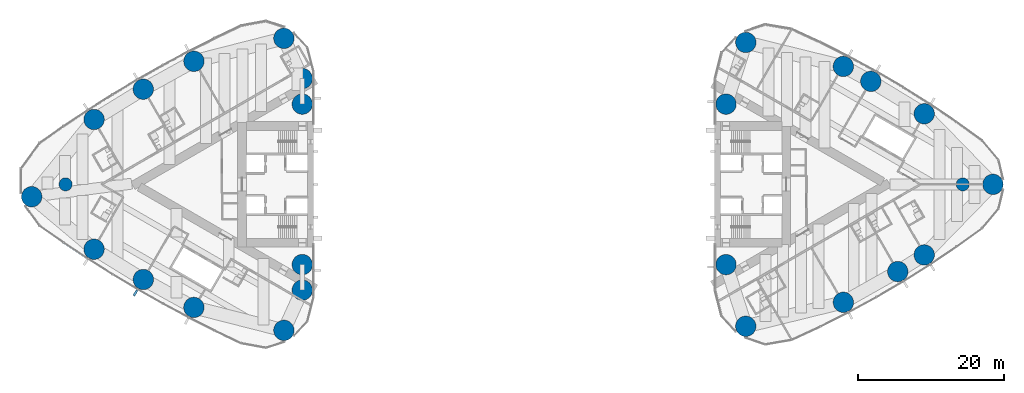
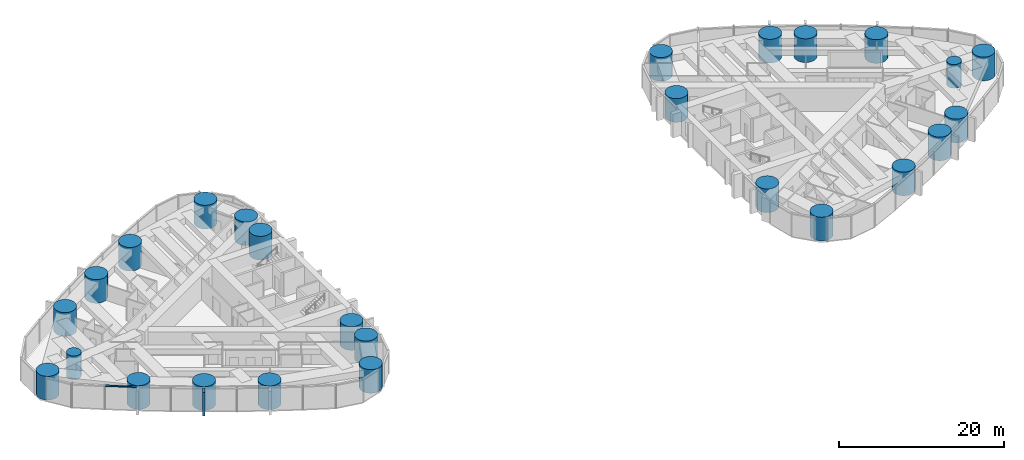
# One storey, part 1 of 19: 26 columns, 2 members, 1 element without a shape of its own.
"""IFC4 building model written with IfcOpenShell, lengths in metres."""

from ifc_helpers import new_model, si_unit, direction, frame, origin, origin_2d, place, context, subcontext, project, spatial, rectangle, circle, extrude, material, material_profile, profile_set, type_object, element, aggregate, save


model = new_model("IFC4")

# Units and contexts
model_context = context("Model", 3, precision=1e-05, world=origin(), true_north=direction((0.0, 1.0)))
body_context = subcontext(model_context, "Body", "Model", "MODEL_VIEW")
ifc_project = project(units=[si_unit("LENGTHUNIT", "METRE"), si_unit("AREAUNIT", "SQUARE_METRE"), si_unit("VOLUMEUNIT", "CUBIC_METRE"), si_unit("PLANEANGLEUNIT", "RADIAN"), si_unit("MASSUNIT", "GRAM", prefix="KILO")], contexts=[model_context])

# Site, building, storey
site_placement = place(None, origin())
site = spatial("IfcSite", under=ifc_project, at=site_placement, CompositionType="ELEMENT")
building_placement = place(site_placement, origin())
building = spatial("IfcBuilding", under=site, at=building_placement, Name="Lancet Gate Hotel", CompositionType="ELEMENT")
storey_placement = place(building_placement, frame((0.0, 0.0, 173.800048828125)))
storey = spatial("IfcBuildingStorey", under=building, at=storey_placement, Name="L46", CompositionType="ELEMENT", Elevation=173.800048828125)

# Columns
ifc_material_1 = material(Name="Concrete C60/75", Category="concrete")
ifc_material_profile_1 = material_profile(ifc_material_1, circle(Radius=0.89990234375, at=origin_2d()), Name="RC D1800")
ifc_profile_set_1 = profile_set([ifc_material_profile_1], Name="Concrete C60/75")
column_type_1 = type_object("IfcColumnType", Name="Apex column RC D1800", PredefinedType="COLUMN", material=ifc_profile_set_1)
for number, where, z_axis, x_axis, name in (
    (1, (-61.5, 0.0, 0.0), (0.0, 0.0, 1.0), (1.0, 0.0, 0.0), "T1 column AX L46"),
    (2, (61.5, 0.0, 0.0), (0.0, 0.0, 1.0), (1.0, 0.0, 0.0), "T2 column AX L46"),
):
    element("IfcColumn", number, at=place(storey_placement, frame(where, z_axis=z_axis, x_axis=x_axis)), inside=storey, type_object=column_type_1, Name=name, PredefinedType="COLUMN", context=body_context, shape_type="SweptSolid", body=[
        extrude(circle(Radius=0.89990234375, at=origin_2d()), origin(), (0.0, 0.0, 1.0), 3.5),
    ])
ifc_material_2 = material(Name="Concrete C60/75", Category="concrete")
ifc_material_profile_2 = material_profile(ifc_material_2, circle(Radius=1.39990234375, at=origin_2d()), Name="RC D2800")
ifc_profile_set_2 = profile_set([ifc_material_profile_2], Name="Concrete C60/75")
column_type_2 = type_object("IfcColumnType", Name="Perimeter column RC D2800", PredefinedType="COLUMN", material=ifc_profile_set_2)
for number, where, z_axis, x_axis, name in (
    (3, (-66.142578125, -1.6953125, 0.0), (0.0, 0.0, 1.0), (1.0, 0.0, 0.0), "T1 column CA L46"),
    (4, (-31.5654296875, -20.015869140625, 0.0), (0.0, 0.0, 1.0), (1.0, 0.0, 0.0), "T1 column CN L46"),
    (5, (-31.5654296875, 20.015869140625, 0.0), (0.0, 0.0, 1.0), (1.0, 0.0, 0.0), "T1 column CS L46"),
    (6, (-29.050048828125, -11.0, 0.0), (0.0, 0.0, 1.0), (1.0, 0.0, 0.0), "T1 column IN L46"),
    (7, (-29.050048828125, 11.0, 0.0), (0.0, 0.0, 1.0), (1.0, 0.0, 0.0), "T1 column IS L46"),
    (8, (-29.050048828125, 14.5, 0.0), (0.0, 0.0, 1.0), (1.0, 0.0, 0.0), "T1 column IT L46"),
    (9, (-29.050048828125, -14.5, 0.0), (0.0, 0.0, 1.0), (1.0, 0.0, 0.0), "T1 column JT L46"),
    (10, (-57.589599609375, -8.89306640625, 0.0), (0.0, 0.0, 1.0), (1.0, 0.0, 0.0), "T1 column ON1 L46"),
    (11, (-50.8388671875, -13.043212890625, 0.0), (0.0, 0.0, 1.0), (1.0, 0.0, 0.0), "T1 column ON2 L46"),
    (12, (-43.900390625, -16.871337890625, 0.0), (0.0, 0.0, 1.0), (1.0, 0.0, 0.0), "T1 column ON3 L46"),
    (13, (-43.900390625, 16.871337890625, 0.0), (0.0, 0.0, 1.0), (1.0, 0.0, 0.0), "T1 column OS1 L46"),
    (14, (-50.8388671875, 13.043212890625, 0.0), (0.0, 0.0, 1.0), (1.0, 0.0, 0.0), "T1 column OS2 L46"),
    (15, (-57.589599609375, 8.89306640625, 0.0), (0.0, 0.0, 1.0), (1.0, 0.0, 0.0), "T1 column OS3 L46"),
    (16, (65.6396484375, 0.0, 0.0), (0.0, 0.0, 1.0), (1.0, 0.0, 0.0), "T2 column CA L46"),
    (17, (31.759765625, 19.455810546875, 0.0), (0.0, 0.0, 1.0), (1.0, 0.0, 0.0), "T2 column CN L46"),
    (18, (31.759765625, -19.455810546875, 0.0), (0.0, 0.0, 1.0), (1.0, 0.0, 0.0), "T2 column CS L46"),
    (19, (29.050048828125, 11.0, 0.0), (0.0, 0.0, 1.0), (1.0, 0.0, 0.0), "T2 column IN L46"),
    (20, (29.050048828125, -11.0, 0.0), (0.0, 0.0, 1.0), (1.0, 0.0, 0.0), "T2 column IS L46"),
    (21, (56.220947265625, 9.67236328125, 0.0), (0.0, 0.0, 1.0), (1.0, 0.0, 0.0), "T2 column ON1 L46"),
    (22, (48.8974609375, 14.12060546875, 0.0), (0.0, 0.0, 1.0), (1.0, 0.0, 0.0), "T2 column ON2 L46"),
    (23, (45.133544921875, 16.16845703125, 0.0), (0.0, 0.0, 1.0), (1.0, 0.0, 0.0), "T2 column ON3 L46"),
    (24, (45.133544921875, -16.16845703125, 0.0), (0.0, 0.0, 1.0), (1.0, 0.0, 0.0), "T2 column OS1 L46"),
    (25, (52.594482421875, -11.95458984375, 0.0), (0.0, 0.0, 1.0), (1.0, 0.0, 0.0), "T2 column OS2 L46"),
    (26, (56.220947265625, -9.67236328125, 0.0), (0.0, 0.0, 1.0), (1.0, 0.0, 0.0), "T2 column OS3 L46"),
):
    element("IfcColumn", number, at=place(storey_placement, frame(where, z_axis=z_axis, x_axis=x_axis)), inside=storey, type_object=column_type_2, Name=name, PredefinedType="COLUMN", context=body_context, shape_type="SweptSolid", body=[
        extrude(circle(Radius=1.39990234375, at=origin_2d()), origin(), (0.0, 0.0, 1.0), 3.5),
    ])

# Curtain wall, members
ifc_material_3 = material(Name="Aluminium curtain wall", Category="aluminium")
curtain_wall_type = type_object("IfcCurtainWallType", Name="Tower unitised curtain wall", PredefinedType="USERDEFINED", material=ifc_material_3)
curtain_wall_placement = place(storey_placement, origin())
curtain_wall = element("IfcCurtainWall", 27, at=curtain_wall_placement, inside=storey, type_object=curtain_wall_type, Name="T1 L46 curtain wall 3", ObjectType="UNITISED CURTAIN WALL", PredefinedType="USERDEFINED")
ifc_material_4 = material(Name="Aluminium transom", Category="aluminium")
ifc_material_profile_3 = material_profile(ifc_material_4, rectangle(XDim=0.25, YDim=0.14990234375, at=origin_2d()), Name="TRANSOM 250x150")
ifc_profile_set_3 = profile_set([ifc_material_profile_3], Name="Aluminium transom")
member_type_1 = type_object("IfcMemberType", Name="Aluminium transom 250x150", PredefinedType="USERDEFINED", material=ifc_profile_set_3)
member_1_placement = place(storey_placement, frame((-61.735595703125, -7.998779296875, 3.425048828125), z_axis=(0.832870509189, -0.553467898729, 0.0), x_axis=(0.553467898729, 0.832870509189, 0.0)))
member_1 = element("IfcMember", 28, at=member_1_placement, type_object=member_type_1, Name="T1 L46 curtain wall 3 transom 3", ObjectType="TRANSOM", PredefinedType="USERDEFINED", context=body_context, shape_type="SweptSolid", body=[
    extrude(rectangle(XDim=0.25, YDim=0.14990234375, at=origin_2d()), origin(), (0.0, 0.0, 1.0), 3.933837890625),
])
ifc_material_5 = material(Name="Precast concrete C50/60", Category="concrete")
ifc_material_profile_4 = material_profile(ifc_material_5, rectangle(XDim=0.300048828125, YDim=0.89990234375, at=origin_2d()), Name="FIN 300x900")
ifc_profile_set_4 = profile_set([ifc_material_profile_4], Name="Precast concrete C50/60")
member_type_2 = type_object("IfcMemberType", Name="Exposed concrete fin 300x900", PredefinedType="USERDEFINED", material=ifc_profile_set_4)
member_2_placement = place(storey_placement, frame((-51.908935546875, -14.879150390625, 0.0), z_axis=(0.0, 0.0, 1.0), x_axis=(0.863968774311, -0.503545387245, 0.0)))
member_2 = element("IfcMember", 29, at=member_2_placement, type_object=member_type_2, Name="T1 L46 curtain wall 3 fin 6", ObjectType="FIN", PredefinedType="USERDEFINED", context=body_context, shape_type="SweptSolid", body=[
    extrude(rectangle(XDim=0.300048828125, YDim=0.89990234375, at=origin_2d()), origin(), (0.0, 0.0, 1.0), 3.5),
])
aggregate(curtain_wall, [member_2, member_1])

save(model, "model.ifc")
